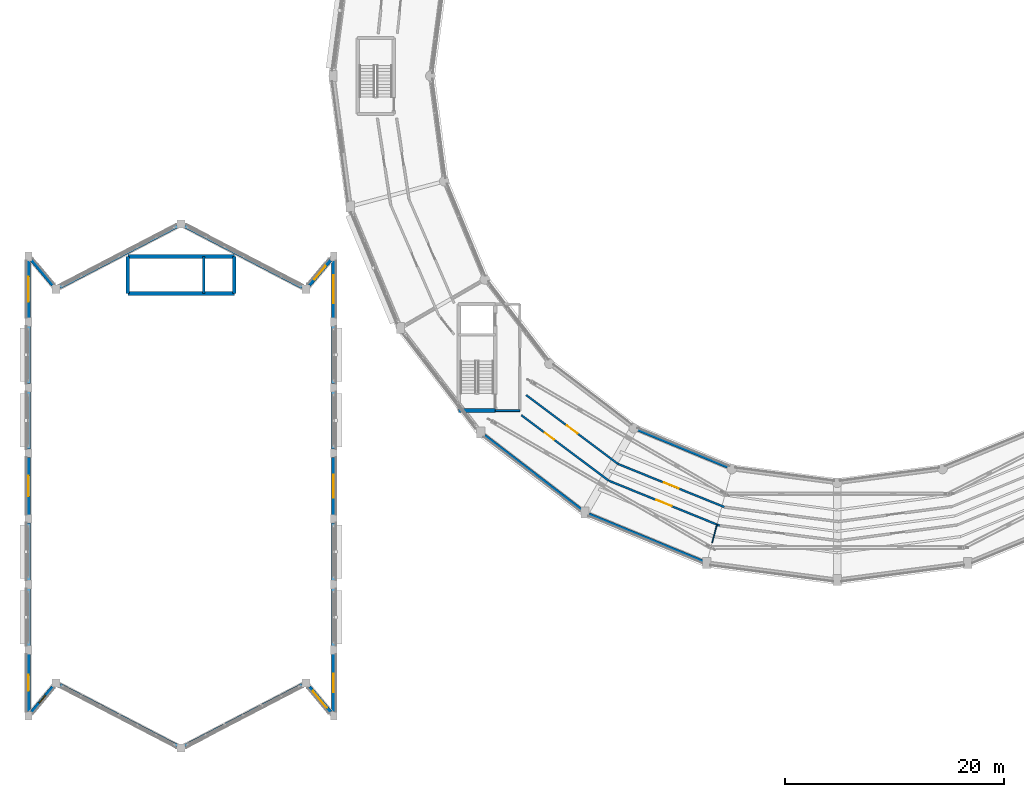
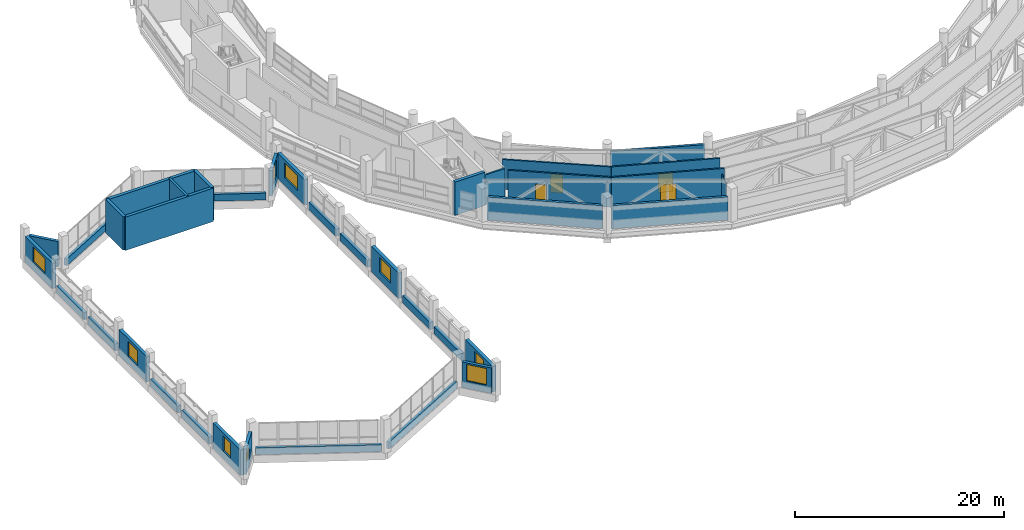
# One storey, part 100 of 121: 37 walls, 9 windows, 4 doors, 13 openings.
"""IFC4 building model written with IfcOpenShell, lengths in metres."""

from ifc_helpers import new_model, si_unit, direction, frame, frame_2d, origin, place, context, subcontext, project, spatial, rectangle, extrude, material, layer, layer_set, type_object, element, fill, save


model = new_model("IFC4")

# Units and contexts
model_context = context("Model", 3, precision=1e-05, world=origin(), true_north=direction((0.0, 1.0)))
body_context = subcontext(model_context, "Body", "Model", "MODEL_VIEW")
ifc_project = project(units=[si_unit("LENGTHUNIT", "METRE"), si_unit("AREAUNIT", "SQUARE_METRE"), si_unit("VOLUMEUNIT", "CUBIC_METRE"), si_unit("PLANEANGLEUNIT", "RADIAN"), si_unit("MASSUNIT", "GRAM", prefix="KILO")], contexts=[model_context])

# Site, building, storey
site_placement = place(None, origin())
site = spatial("IfcSite", under=ifc_project, at=site_placement, CompositionType="ELEMENT")
building_placement = place(site_placement, origin())
building = spatial("IfcBuilding", under=site, at=building_placement, Name="Vespera Passage Community Centre", CompositionType="ELEMENT")
storey_placement = place(building_placement, frame((0.0, 0.0, 8.699951171875)))
storey = spatial("IfcBuildingStorey", under=building, at=storey_placement, Name="L02", CompositionType="ELEMENT", Elevation=8.699951171875)

# Walls
ifc_material_1 = material(Name="Concrete f'c 45 MPa", Category="concrete")
ifc_layer_1 = layer(ifc_material_1, 0.340087890625)
ifc_layer_set_1 = layer_set([ifc_layer_1], Name="Concrete f'c 45 MPa")
wall_type_1 = type_object("IfcWallType", Name="WT-CORE-340I", PredefinedType="SHEAR", material=ifc_layer_set_1)
wall_1_placement = place(storey_placement, frame((46.73095703125, 34.89990234375, 0.0), z_axis=(0.0, 0.0, 1.0), x_axis=(-1.0, 0.0, 0.0)))
element("IfcWall", 1, at=wall_1_placement, inside=storey, type_object=wall_type_1, Name="Core C3 L02 Shear Wall LEFT", PredefinedType="SHEAR", context=body_context, shape_type="SweptSolid", body=[
    extrude(rectangle(XDim=3.33984375, YDim=0.340087890625, at=frame_2d((1.669921875, 0.0))), origin(), (0.0, 0.0, 1.0), 3.900146484375),
])
wall_2_placement = place(storey_placement, frame((22.864990234375, 45.610107421875, 0.0), z_axis=(0.0, 0.0, 1.0), x_axis=(-1.0, 0.0, 0.0)))
element("IfcWall", 2, at=wall_2_placement, inside=storey, type_object=wall_type_1, Name="Core C5 L02 Shear Wall FRONT", PredefinedType="SHEAR", context=body_context, shape_type="SweptSolid", body=[
    extrude(rectangle(XDim=9.72998046875, YDim=0.340087890625, at=frame_2d((4.864990234375, 0.0))), origin(), (0.0, 0.0, 1.0), 3.900146484375),
])
wall_3_placement = place(storey_placement, frame((13.135009765625, 45.610107421875, 0.0), z_axis=(0.0, 0.0, 1.0), x_axis=(0.0, 1.0, 0.0)))
element("IfcWall", 3, at=wall_3_placement, inside=storey, type_object=wall_type_1, Name="Core C5 L02 Shear Wall LEFT", PredefinedType="SHEAR", context=body_context, shape_type="SweptSolid", body=[
    extrude(rectangle(XDim=3.3798828125, YDim=0.340087890625, at=frame_2d((1.68994140625, 0.0))), origin(), (0.0, 0.0, 1.0), 3.900146484375),
])
wall_4_placement = place(storey_placement, frame((13.135009765625, 48.989990234375, 0.0), z_axis=(0.0, 0.0, 1.0), x_axis=(1.0, 0.0, 0.0)))
element("IfcWall", 4, at=wall_4_placement, inside=storey, type_object=wall_type_1, Name="Core C5 L02 Shear Wall BACK", PredefinedType="SHEAR", context=body_context, shape_type="SweptSolid", body=[
    extrude(rectangle(XDim=9.72998046875, YDim=0.340087890625, at=frame_2d((4.864990234375, 0.0))), origin(), (0.0, 0.0, 1.0), 3.900146484375),
])
wall_5_placement = place(storey_placement, frame((22.864990234375, 48.989990234375, 0.0), z_axis=(0.0, 0.0, 1.0), x_axis=(0.0, -1.0, 0.0)))
element("IfcWall", 5, at=wall_5_placement, inside=storey, type_object=wall_type_1, Name="Core C5 L02 Shear Wall RIGHT", PredefinedType="SHEAR", context=body_context, shape_type="SweptSolid", body=[
    extrude(rectangle(XDim=3.3798828125, YDim=0.340087890625, at=frame_2d((1.68994140625, 0.0))), origin(), (0.0, 0.0, 1.0), 3.900146484375),
])
ifc_material_2 = material(Name="Gypsum board acoustic stud partition")
ifc_layer_2 = layer(ifc_material_2, 0.179931640625)
ifc_layer_set_2 = layer_set([ifc_layer_2], Name="Gypsum board acoustic stud partition")
wall_type_2 = type_object("IfcWallType", Name="WT-CORR-180I", PredefinedType="PARTITIONING", material=ifc_layer_set_2)
wall_6_placement = place(storey_placement, frame((46.73095703125, 34.89990234375, 0.0), z_axis=(0.0, 0.0, 1.0), x_axis=(1.0, 0.0, 0.0)))
element("IfcWall", 6, at=wall_6_placement, inside=storey, type_object=wall_type_2, Name="Core C3 L02 Lift Lobby Side Wall L", PredefinedType="PARTITIONING", context=body_context, shape_type="SweptSolid", body=[
    extrude(rectangle(XDim=2.25, YDim=0.179931640625, at=frame_2d((1.125, 0.0))), origin(), (0.0, 0.0, 1.0), 3.4951171875),
])

# Wall, opening, door
wall_7_placement = place(storey_placement, frame((49.11669921875, 34.47998046875, 0.0), z_axis=(0.0, 0.0, 1.0), x_axis=(0.800041118756, -0.599945171077, 0.0)))
wall_7 = element("IfcWall", 7, at=wall_7_placement, inside=storey, type_object=wall_type_2, Name="L02 Interior Partition V4-L02-CO16.1", PredefinedType="PARTITIONING", context=body_context, shape_type="SweptSolid", body=[
    extrude(rectangle(XDim=9.974365234375, YDim=0.179931640625, at=frame_2d((4.9873046875, 0.0))), origin(), (0.0, 0.0, 1.0), 3.4951171875),
])
opening_1_placement = place(wall_7_placement, frame((2.677490234375, 0.0, 0.0)))
opening_1 = element("IfcOpeningElement", 8, at=opening_1_placement, cuts=wall_7, Name="Opening DT-CORR-105", PredefinedType="OPENING", context=body_context, shape_type="SweptSolid", body=[
    extrude(rectangle(XDim=1.050048828125, YDim=2.10009765625, at=frame_2d((0.52490234375, 1.050048828125))), frame((0.0, 0.099853515625, 0.0), z_axis=(0.0, -1.0, 0.0), x_axis=(1.0, 0.0, 0.0)), (0.0, 0.0, 1.0), 0.199951171875),
])
ifc_material_3 = material(Name="Painted hollow-metal acoustic door", Category="steel")
door_type_1 = type_object("IfcDoorType", Name="DT-CORR-105", OperationType="NOTDEFINED", PredefinedType="DOOR", material=ifc_material_3)
door_1_placement = place(opening_1_placement, origin())
door_1 = element("IfcDoor", 9, at=door_1_placement, inside=storey, type_object=door_type_1, Name="L02 Interior Door D-208", OperationType="SINGLE_SWING_RIGHT", OverallHeight=2.10009765625, OverallWidth=1.050048828125, PredefinedType="DOOR", context=body_context, shape_type="SweptSolid", body=[
    extrude(rectangle(XDim=1.050048828125, YDim=2.10009765625, at=frame_2d((0.52490234375, 1.050048828125))), frame((0.0, 0.02490234375, 0.0), z_axis=(0.0, -1.0, 0.0), x_axis=(1.0, 0.0, 0.0)), (0.0, 0.0, 1.0), 0.050048828125),
])
fill(opening_1, door_1)

wall_8_placement = place(storey_placement, frame((49.55517578125, 36.3203125, 0.0), z_axis=(0.0, 0.0, 1.0), x_axis=(0.800044630681, -0.599940487814, 0.0)))
wall_8 = element("IfcWall", 10, at=wall_8_placement, inside=storey, type_object=wall_type_2, Name="L02 Interior Partition V4-L02-CI16.1", PredefinedType="PARTITIONING", context=body_context, shape_type="SweptSolid", body=[
    extrude(rectangle(XDim=10.50244140625, YDim=0.179931640625, at=frame_2d((5.251220703125, 0.0))), origin(), (0.0, 0.0, 1.0), 3.4951171875),
])
opening_2_placement = place(wall_8_placement, frame((4.651123046875, 0.0, 0.0)))
opening_2 = element("IfcOpeningElement", 11, at=opening_2_placement, cuts=wall_8, Name="Opening DT-CORR-120", PredefinedType="OPENING", context=body_context, shape_type="SweptSolid", body=[
    extrude(rectangle(XDim=1.199951171875, YDim=2.14990234375, at=frame_2d((0.60009765625, 1.074951171875))), frame((0.0, 0.099853515625, 0.0), z_axis=(0.0, -1.0, 0.0), x_axis=(1.0, 0.0, 0.0)), (0.0, 0.0, 1.0), 0.199951171875),
])
ifc_material_4 = material(Name="Painted hollow-metal acoustic door", Category="steel")
door_type_2 = type_object("IfcDoorType", Name="DT-CORR-120", OperationType="NOTDEFINED", PredefinedType="DOOR", material=ifc_material_4)
door_2_placement = place(opening_2_placement, origin())
door_2 = element("IfcDoor", 12, at=door_2_placement, inside=storey, type_object=door_type_2, Name="L02 Interior Door D-209", OperationType="SINGLE_SWING_LEFT", OverallHeight=2.14990234375, OverallWidth=1.199951171875, PredefinedType="DOOR", context=body_context, shape_type="SweptSolid", body=[
    extrude(rectangle(XDim=1.199951171875, YDim=2.14990234375, at=frame_2d((0.60009765625, 1.074951171875))), frame((0.0, 0.02490234375, 0.0), z_axis=(0.0, -1.0, 0.0), x_axis=(1.0, 0.0, 0.0)), (0.0, 0.0, 1.0), 0.050048828125),
])
fill(opening_2, door_2)

wall_9_placement = place(storey_placement, frame((57.0966796875, 28.495849609375, 0.0), z_axis=(0.0, 0.0, 1.0), x_axis=(0.926802598573, -0.375548856048, 0.0)))
wall_9 = element("IfcWall", 13, at=wall_9_placement, inside=storey, type_object=wall_type_2, Name="L02 Interior Partition V4-L02-CO17.1", PredefinedType="PARTITIONING", context=body_context, shape_type="SweptSolid", body=[
    extrude(rectangle(XDim=10.953369140625, YDim=0.179931640625, at=frame_2d((5.4765625, 0.0))), origin(), (0.0, 0.0, 1.0), 3.4951171875),
])
opening_3_placement = place(wall_9_placement, frame((4.726806640625, 0.0, 0.0)))
opening_3 = element("IfcOpeningElement", 14, at=opening_3_placement, cuts=wall_9, Name="Opening DT-CORR-150", PredefinedType="OPENING", context=body_context, shape_type="SweptSolid", body=[
    extrude(rectangle(XDim=1.5, YDim=2.14990234375, at=frame_2d((0.75, 1.074951171875))), frame((0.0, 0.099853515625, 0.0), z_axis=(0.0, -1.0, 0.0), x_axis=(1.0, 0.0, 0.0)), (0.0, 0.0, 1.0), 0.199951171875),
])
ifc_material_5 = material(Name="Painted hollow-metal acoustic door", Category="steel")
door_type_3 = type_object("IfcDoorType", Name="DT-CORR-150", OperationType="NOTDEFINED", PredefinedType="DOOR", material=ifc_material_5)
door_3_placement = place(opening_3_placement, origin())
door_3 = element("IfcDoor", 15, at=door_3_placement, inside=storey, type_object=door_type_3, Name="L02 Interior Door D-210", OperationType="SINGLE_SWING_RIGHT", OverallHeight=2.14990234375, OverallWidth=1.5, PredefinedType="DOOR", context=body_context, shape_type="SweptSolid", body=[
    extrude(rectangle(XDim=1.5, YDim=2.14990234375, at=frame_2d((0.75, 1.074951171875))), frame((0.0, 0.02490234375, 0.0), z_axis=(0.0, -1.0, 0.0), x_axis=(1.0, 0.0, 0.0)), (0.0, 0.0, 1.0), 0.050048828125),
])
fill(opening_3, door_3)

wall_10_placement = place(storey_placement, frame((57.95751953125, 30.01953125, 0.0), z_axis=(0.0, 0.0, 1.0), x_axis=(0.926804880272, -0.375543225082, 0.0)))
wall_10 = element("IfcWall", 16, at=wall_10_placement, inside=storey, type_object=wall_type_2, Name="L02 Interior Partition V4-L02-CI17.1", PredefinedType="PARTITIONING", context=body_context, shape_type="SweptSolid", body=[
    extrude(rectangle(XDim=10.50244140625, YDim=0.179931640625, at=frame_2d((5.251220703125, 0.0))), origin(), (0.0, 0.0, 1.0), 3.4951171875),
])
opening_4_placement = place(wall_10_placement, frame((4.526123046875, 0.0, 0.0)))
opening_4 = element("IfcOpeningElement", 17, at=opening_4_placement, cuts=wall_10, Name="Opening DT-PLANT-145", PredefinedType="OPENING", context=body_context, shape_type="SweptSolid", body=[
    extrude(rectangle(XDim=1.449951171875, YDim=2.199951171875, at=frame_2d((0.72509765625, 1.10009765625))), frame((0.0, 0.099853515625, 0.0), z_axis=(0.0, -1.0, 0.0), x_axis=(1.0, 0.0, 0.0)), (0.0, 0.0, 1.0), 0.199951171875),
])
ifc_material_6 = material(Name="Painted hollow-metal acoustic door", Category="steel")
door_type_4 = type_object("IfcDoorType", Name="DT-PLANT-145", OperationType="NOTDEFINED", PredefinedType="DOOR", material=ifc_material_6)
door_4_placement = place(opening_4_placement, origin())
door_4 = element("IfcDoor", 18, at=door_4_placement, inside=storey, type_object=door_type_4, Name="L02 Interior Door D-211", OperationType="SINGLE_SWING_LEFT", OverallHeight=2.199951171875, OverallWidth=1.449951171875, PredefinedType="DOOR", context=body_context, shape_type="SweptSolid", body=[
    extrude(rectangle(XDim=1.449951171875, YDim=2.199951171875, at=frame_2d((0.72509765625, 1.10009765625))), frame((0.0, 0.02490234375, 0.0), z_axis=(0.0, -1.0, 0.0), x_axis=(1.0, 0.0, 0.0)), (0.0, 0.0, 1.0), 0.050048828125),
])
fill(opening_4, door_4)

# Walls
ifc_material_7 = material(Name="Concrete f'c 45 MPa", Category="concrete")
ifc_layer_3 = layer(ifc_material_7, 0.239990234375)
ifc_layer_set_3 = layer_set([ifc_layer_3], Name="Concrete f'c 45 MPa")
wall_type_3 = type_object("IfcWallType", Name="WT-DIV-240I", PredefinedType="SHEAR", material=ifc_layer_set_3)
wall_11_placement = place(storey_placement, frame((20.074951171875, 45.610107421875, 0.0), z_axis=(0.0, 0.0, 1.0), x_axis=(0.0, 1.0, 0.0)))
element("IfcWall", 19, at=wall_11_placement, inside=storey, type_object=wall_type_3, Name="Core C5 L02 Hoistway Divider Wall", PredefinedType="SHEAR", context=body_context, shape_type="SweptSolid", body=[
    extrude(rectangle(XDim=3.3798828125, YDim=0.239990234375, at=frame_2d((1.68994140625, 0.0))), origin(), (0.0, 0.0, 1.0), 3.900146484375),
])
ifc_material_8 = material(Name="Precast concrete f'c 40 MPa", Category="concrete")
ifc_layer_4 = layer(ifc_material_8, 0.25)
ifc_layer_set_4 = layer_set([ifc_layer_4], Name="Precast concrete f'c 40 MPa")
wall_type_4 = type_object("IfcWallType", Name="WT-EXT-250E", PredefinedType="STANDARD", material=ifc_layer_set_4)
wall_12_placement = place(storey_placement, frame((59.677001953125, 33.169189453125, 0.0), z_axis=(0.0, 0.0, 1.0), x_axis=(0.923880324771, -0.382681519675, 0.0)))
element("IfcWall", 20, at=wall_12_placement, inside=storey, type_object=wall_type_4, Name="V4 L02 Inner Court Precast Wall 16", PredefinedType="STANDARD", context=body_context, shape_type="SweptSolid", body=[
    extrude(rectangle(XDim=9.111572265625, YDim=0.25, at=frame_2d((4.5556640625, 0.0))), origin(), (0.0, 0.0, 1.0), 2.78955078125),
])
ifc_material_9 = material(Name="Precast concrete f'c 40 MPa", Category="concrete")
ifc_layer_5 = layer(ifc_material_9, 0.280029296875)
ifc_layer_set_5 = layer_set([ifc_layer_5], Name="Precast concrete f'c 40 MPa")
wall_type_5 = type_object("IfcWallType", Name="WT-EXT-280E", PredefinedType="STANDARD", material=ifc_layer_set_5)
wall_13_placement = place(storey_placement, frame((54.5947265625, 25.8486328125, 0.0), z_axis=(0.0, 0.0, 1.0), x_axis=(-0.793342066679, 0.608776120785, 0.0)))
element("IfcWall", 21, at=wall_13_placement, inside=storey, type_object=wall_type_5, Name="V4 L02 Outer Precast Wall 15", PredefinedType="STANDARD", context=body_context, shape_type="SweptSolid", body=[
    extrude(rectangle(XDim=11.13916015625, YDim=0.280029296875, at=frame_2d((5.569580078125, 0.0))), origin(), (0.0, 0.0, 1.0), 2.70556640625),
])
wall_14_placement = place(storey_placement, frame((65.716552734375, 21.11669921875, 0.0), z_axis=(0.0, 0.0, 1.0), x_axis=(-0.923883530636, 0.382673779896, 0.0)))
element("IfcWall", 22, at=wall_14_placement, inside=storey, type_object=wall_type_5, Name="V4 L02 Outer Precast Wall 16", PredefinedType="STANDARD", context=body_context, shape_type="SweptSolid", body=[
    extrude(rectangle(XDim=11.2724609375, YDim=0.280029296875, at=frame_2d((5.63623046875, 0.0))), origin(), (0.0, 0.0, 1.0), 2.70556640625),
])
ifc_material_10 = material(Name="Precast concrete f'c 40 MPa", Category="concrete")
ifc_layer_6 = layer(ifc_material_10, 0.320068359375)
ifc_layer_set_6 = layer_set([ifc_layer_6], Name="Precast concrete f'c 40 MPa")
wall_type_6 = type_object("IfcWallType", Name="WT-EXT-320E", PredefinedType="STANDARD", material=ifc_layer_set_6)
wall_15_placement = place(storey_placement, frame((4.333984375, 48.66259765625, 0.0), z_axis=(0.0, 0.0, 1.0), x_axis=(0.643796278673, -0.765196936459, 0.0)))
element("IfcWall", 23, at=wall_15_placement, inside=storey, type_object=wall_type_6, Name="V1 L02 N Apse Wall 1", PredefinedType="STANDARD", context=body_context, shape_type="SweptSolid", body=[
    extrude(rectangle(XDim=3.012451171875, YDim=0.320068359375, at=frame_2d((1.50634765625, 0.0))), origin(), (0.0, 0.0, 1.0), 2.985107421875),
])
for number, where, z_axis, x_axis, name in (
    (24, (6.925537109375, 46.18505859375, 0.0), (0.0, 0.0, 1.0), (0.887012674584, 0.46174507591, 0.0), "V1 L02 N Apse Spandrel 2"),
    (25, (18.352783203125, 51.766357421875, 0.0), (0.0, 0.0, 1.0), (0.887012674584, -0.46174507591, 0.0), "V1 L02 N Apse Spandrel 3"),
):
    element("IfcWall", number, at=place(storey_placement, frame(where, z_axis=z_axis, x_axis=x_axis)), inside=storey, type_object=wall_type_6, Name=name, PredefinedType="STANDARD", context=body_context, shape_type="SweptSolid", body=[
        extrude(rectangle(XDim=12.08740234375, YDim=0.320068359375, at=frame_2d((6.043701171875, 0.0))), origin(), (0.0, 0.0, 1.0), 0.800048828125),
    ])

# Wall, opening, window
wall_16_placement = place(storey_placement, frame((29.7265625, 46.357421875, 0.0), z_axis=(0.0, 0.0, 1.0), x_axis=(0.643796278673, 0.765196936459, 0.0)))
wall_16 = element("IfcWall", 26, at=wall_16_placement, inside=storey, type_object=wall_type_6, Name="V1 L02 N Apse Wall 4", PredefinedType="STANDARD", context=body_context, shape_type="SweptSolid", body=[
    extrude(rectangle(XDim=3.012451171875, YDim=0.320068359375, at=frame_2d((1.50634765625, 0.0))), origin(), (0.0, 0.0, 1.0), 2.985107421875),
])
opening_5_placement = place(wall_16_placement, frame((0.706298828125, 0.0, 0.85009765625)))
opening_5 = element("IfcOpeningElement", 27, at=opening_5_placement, cuts=wall_16, Name="Opening WN-26E", PredefinedType="OPENING", context=body_context, shape_type="SweptSolid", body=[
    extrude(rectangle(XDim=1.60009765625, YDim=1.949951171875, at=frame_2d((0.800048828125, 0.97509765625))), frame((0.0, 0.170166015625, 0.0), z_axis=(0.0, -1.0, 0.0), x_axis=(1.0, 0.0, 0.0)), (0.0, 0.0, 1.0), 0.340087890625),
])
ifc_material_11 = material(Name="Low-E insulated vision glass", Category="glass")
window_type_1 = type_object("IfcWindowType", Name="WN-26E", PartitioningType="SINGLE_PANEL", PredefinedType="WINDOW", material=ifc_material_11)
window_1_placement = place(opening_5_placement, origin())
window_1 = element("IfcWindow", 28, at=window_1_placement, inside=storey, type_object=window_type_1, Name="Window WN-V1-L02-APN4", OverallHeight=1.949951171875, OverallWidth=1.60009765625, PartitioningType="SINGLE_PANEL", PredefinedType="WINDOW", context=body_context, shape_type="SweptSolid", body=[
    extrude(rectangle(XDim=1.60009765625, YDim=1.949951171875, at=frame_2d((0.800048828125, 0.97509765625))), frame((0.0, 0.030029296875, 0.0), z_axis=(0.0, -1.0, 0.0), x_axis=(1.0, 0.0, 0.0)), (0.0, 0.0, 1.0), 0.06005859375),
])
fill(opening_5, window_1)

wall_17_placement = place(storey_placement, frame((31.666015625, 7.33740234375, 0.0), z_axis=(0.0, 0.0, 1.0), x_axis=(-0.643796278673, 0.765196936459, 0.0)))
wall_17 = element("IfcWall", 29, at=wall_17_placement, inside=storey, type_object=wall_type_6, Name="V1 L02 S Apse Wall 1", PredefinedType="STANDARD", context=body_context, shape_type="SweptSolid", body=[
    extrude(rectangle(XDim=3.012451171875, YDim=0.320068359375, at=frame_2d((1.50634765625, 0.0))), origin(), (0.0, 0.0, 1.0), 2.985107421875),
])
opening_6_placement = place(wall_17_placement, frame((0.50634765625, 0.0, 0.85009765625)))
opening_6 = element("IfcOpeningElement", 30, at=opening_6_placement, cuts=wall_17, Name="Opening WN-27E", PredefinedType="OPENING", context=body_context, shape_type="SweptSolid", body=[
    extrude(rectangle(XDim=2.0, YDim=1.949951171875, at=frame_2d((1.0, 0.97509765625))), frame((0.0, 0.170166015625, 0.0), z_axis=(0.0, -1.0, 0.0), x_axis=(1.0, 0.0, 0.0)), (0.0, 0.0, 1.0), 0.340087890625),
])
ifc_material_12 = material(Name="Low-E insulated vision glass", Category="glass")
window_type_2 = type_object("IfcWindowType", Name="WN-27E", PartitioningType="SINGLE_PANEL", PredefinedType="WINDOW", material=ifc_material_12)
window_2_placement = place(opening_6_placement, origin())
window_2 = element("IfcWindow", 31, at=window_2_placement, inside=storey, type_object=window_type_2, Name="Window WN-V1-L02-APS1", OverallHeight=1.949951171875, OverallWidth=2.0, PartitioningType="SINGLE_PANEL", PredefinedType="WINDOW", context=body_context, shape_type="SweptSolid", body=[
    extrude(rectangle(XDim=2.0, YDim=1.949951171875, at=frame_2d((1.0, 0.97509765625))), frame((0.0, 0.030029296875, 0.0), z_axis=(0.0, -1.0, 0.0), x_axis=(1.0, 0.0, 0.0)), (0.0, 0.0, 1.0), 0.06005859375),
])
fill(opening_6, window_2)

# Walls
for number, where, z_axis, x_axis, name in (
    (32, (29.074462890625, 9.81494140625, 0.0), (0.0, 0.0, 1.0), (-0.887012674584, -0.46174507591, 0.0), "V1 L02 S Apse Spandrel 2"),
    (33, (17.647216796875, 4.233642578125, 0.0), (0.0, 0.0, 1.0), (-0.887012674584, 0.46174507591, 0.0), "V1 L02 S Apse Spandrel 3"),
):
    element("IfcWall", number, at=place(storey_placement, frame(where, z_axis=z_axis, x_axis=x_axis)), inside=storey, type_object=wall_type_6, Name=name, PredefinedType="STANDARD", context=body_context, shape_type="SweptSolid", body=[
        extrude(rectangle(XDim=12.08740234375, YDim=0.320068359375, at=frame_2d((6.043701171875, 0.0))), origin(), (0.0, 0.0, 1.0), 0.800048828125),
    ])

# Wall, opening, window
wall_18_placement = place(storey_placement, frame((6.2734375, 9.642578125, 0.0), z_axis=(0.0, 0.0, 1.0), x_axis=(-0.643796278673, -0.765196936459, 0.0)))
wall_18 = element("IfcWall", 34, at=wall_18_placement, inside=storey, type_object=wall_type_6, Name="V1 L02 S Apse Wall 4", PredefinedType="STANDARD", context=body_context, shape_type="SweptSolid", body=[
    extrude(rectangle(XDim=3.012451171875, YDim=0.320068359375, at=frame_2d((1.50634765625, 0.0))), origin(), (0.0, 0.0, 1.0), 2.985107421875),
])
opening_7_placement = place(wall_18_placement, frame((1.056396484375, 0.0, 0.85009765625)))
opening_7 = element("IfcOpeningElement", 35, at=opening_7_placement, cuts=wall_18, Name="Opening WN-01E", PredefinedType="OPENING", context=body_context, shape_type="SweptSolid", body=[
    extrude(rectangle(XDim=0.89990234375, YDim=0.89990234375, at=frame_2d((0.449951171875, 0.449951171875))), frame((0.0, 0.170166015625, 0.0), z_axis=(0.0, -1.0, 0.0), x_axis=(1.0, 0.0, 0.0)), (0.0, 0.0, 1.0), 0.340087890625),
])
ifc_material_13 = material(Name="Low-E insulated vision glass", Category="glass")
window_type_3 = type_object("IfcWindowType", Name="WN-01E", PartitioningType="SINGLE_PANEL", PredefinedType="WINDOW", material=ifc_material_13)
window_3_placement = place(opening_7_placement, origin())
window_3 = element("IfcWindow", 36, at=window_3_placement, inside=storey, type_object=window_type_3, Name="Window WN-V1-L02-APS4", OverallHeight=0.89990234375, OverallWidth=0.89990234375, PartitioningType="SINGLE_PANEL", PredefinedType="WINDOW", context=body_context, shape_type="SweptSolid", body=[
    extrude(rectangle(XDim=0.89990234375, YDim=0.89990234375, at=frame_2d((0.449951171875, 0.449951171875))), frame((0.0, 0.030029296875, 0.0), z_axis=(0.0, -1.0, 0.0), x_axis=(1.0, 0.0, 0.0)), (0.0, 0.0, 1.0), 0.06005859375),
])
fill(opening_7, window_3)

ifc_material_14 = material(Name="Precast concrete f'c 40 MPa", Category="concrete")
ifc_layer_7 = layer(ifc_material_14, 0.360107421875)
ifc_layer_set_7 = layer_set([ifc_layer_7], Name="Precast concrete f'c 40 MPa")
wall_type_7 = type_object("IfcWallType", Name="WT-EXT-360E", PredefinedType="STANDARD", material=ifc_layer_set_7)
wall_19_placement = place(storey_placement, frame((4.050048828125, 7.375, 0.0), z_axis=(0.0, 0.0, 1.0), x_axis=(0.0, 1.0, 0.0)))
wall_19 = element("IfcWall", 37, at=wall_19_placement, inside=storey, type_object=wall_type_7, Name="V1 L02 Facade Wall W1", PredefinedType="STANDARD", context=body_context, shape_type="SweptSolid", body=[
    extrude(rectangle(XDim=5.25, YDim=0.360107421875, at=frame_2d((2.625, 0.0))), origin(), (0.0, 0.0, 1.0), 2.985107421875),
])
opening_8_placement = place(wall_19_placement, frame((1.89990234375, 0.0, 0.89990234375)))
opening_8 = element("IfcOpeningElement", 38, at=opening_8_placement, cuts=wall_19, Name="Opening WN-19E", PredefinedType="OPENING", context=body_context, shape_type="SweptSolid", body=[
    extrude(rectangle(XDim=1.449951171875, YDim=1.75, at=frame_2d((0.72509765625, 0.875))), frame((0.0, 0.190185546875, 0.0), z_axis=(0.0, -1.0, 0.0), x_axis=(1.0, 0.0, 0.0)), (0.0, 0.0, 1.0), 0.380126953125),
])
ifc_material_15 = material(Name="Low-E insulated vision glass", Category="glass")
window_type_4 = type_object("IfcWindowType", Name="WN-19E", PartitioningType="SINGLE_PANEL", PredefinedType="WINDOW", material=ifc_material_15)
window_4_placement = place(opening_8_placement, origin())
window_4 = element("IfcWindow", 39, at=window_4_placement, inside=storey, type_object=window_type_4, Name="Window WN-V1-L02-W1", OverallHeight=1.75, OverallWidth=1.449951171875, PartitioningType="SINGLE_PANEL", PredefinedType="WINDOW", context=body_context, shape_type="SweptSolid", body=[
    extrude(rectangle(XDim=1.449951171875, YDim=1.75, at=frame_2d((0.72509765625, 0.875))), frame((0.0, 0.030029296875, 0.0), z_axis=(0.0, -1.0, 0.0), x_axis=(1.0, 0.0, 0.0)), (0.0, 0.0, 1.0), 0.06005859375),
])
fill(opening_8, window_4)

wall_20_placement = place(storey_placement, frame((31.949951171875, 12.625, 0.0), z_axis=(0.0, 0.0, 1.0), x_axis=(0.0, -1.0, 0.0)))
wall_20 = element("IfcWall", 40, at=wall_20_placement, inside=storey, type_object=wall_type_7, Name="V1 L02 Facade Wall E1", PredefinedType="STANDARD", context=body_context, shape_type="SweptSolid", body=[
    extrude(rectangle(XDim=5.25, YDim=0.360107421875, at=frame_2d((2.625, 0.0))), origin(), (0.0, 0.0, 1.0), 2.985107421875),
])
opening_9_placement = place(wall_20_placement, frame((1.77490234375, 0.0, 0.89990234375)))
opening_9 = element("IfcOpeningElement", 41, at=opening_9_placement, cuts=wall_20, Name="Opening WN-20E", PredefinedType="OPENING", context=body_context, shape_type="SweptSolid", body=[
    extrude(rectangle(XDim=1.699951171875, YDim=1.75, at=frame_2d((0.85009765625, 0.875))), frame((0.0, 0.190185546875, 0.0), z_axis=(0.0, -1.0, 0.0), x_axis=(1.0, 0.0, 0.0)), (0.0, 0.0, 1.0), 0.380126953125),
])
ifc_material_16 = material(Name="Low-E insulated vision glass", Category="glass")
window_type_5 = type_object("IfcWindowType", Name="WN-20E", PartitioningType="SINGLE_PANEL", PredefinedType="WINDOW", material=ifc_material_16)
window_5_placement = place(opening_9_placement, origin())
window_5 = element("IfcWindow", 42, at=window_5_placement, inside=storey, type_object=window_type_5, Name="Window WN-V1-L02-E1", OverallHeight=1.75, OverallWidth=1.699951171875, PartitioningType="SINGLE_PANEL", PredefinedType="WINDOW", context=body_context, shape_type="SweptSolid", body=[
    extrude(rectangle(XDim=1.699951171875, YDim=1.75, at=frame_2d((0.85009765625, 0.875))), frame((0.0, 0.030029296875, 0.0), z_axis=(0.0, -1.0, 0.0), x_axis=(1.0, 0.0, 0.0)), (0.0, 0.0, 1.0), 0.06005859375),
])
fill(opening_9, window_5)

# Walls
for number, where, z_axis, x_axis, name in (
    (43, (4.050048828125, 13.375, 0.0), (0.0, 0.0, 1.0), (0.0, 1.0, 0.0), "V1 L02 Spandrel W2"),
    (44, (31.949951171875, 18.625, 0.0), (0.0, 0.0, 1.0), (0.0, -1.0, 0.0), "V1 L02 Spandrel E2"),
    (45, (4.050048828125, 19.375, 0.0), (0.0, 0.0, 1.0), (0.0, 1.0, 0.0), "V1 L02 Spandrel W3"),
    (46, (31.949951171875, 24.625, 0.0), (0.0, 0.0, 1.0), (0.0, -1.0, 0.0), "V1 L02 Spandrel E3"),
):
    element("IfcWall", number, at=place(storey_placement, frame(where, z_axis=z_axis, x_axis=x_axis)), inside=storey, type_object=wall_type_7, Name=name, PredefinedType="STANDARD", context=body_context, shape_type="SweptSolid", body=[
        extrude(rectangle(XDim=5.25, YDim=0.360107421875, at=frame_2d((2.625, 0.0))), origin(), (0.0, 0.0, 1.0), 0.85009765625),
    ])

# Wall, opening, window
wall_21_placement = place(storey_placement, frame((4.050048828125, 25.375, 0.0), z_axis=(0.0, 0.0, 1.0), x_axis=(0.0, 1.0, 0.0)))
wall_21 = element("IfcWall", 47, at=wall_21_placement, inside=storey, type_object=wall_type_7, Name="V1 L02 Facade Wall W4", PredefinedType="STANDARD", context=body_context, shape_type="SweptSolid", body=[
    extrude(rectangle(XDim=5.25, YDim=0.360107421875, at=frame_2d((2.625, 0.0))), origin(), (0.0, 0.0, 1.0), 2.985107421875),
])
opening_10_placement = place(wall_21_placement, frame((1.675048828125, 0.0, 0.89990234375)))
opening_10 = element("IfcOpeningElement", 48, at=opening_10_placement, cuts=wall_21, Name="Opening WN-21E", PredefinedType="OPENING", context=body_context, shape_type="SweptSolid", body=[
    extrude(rectangle(XDim=1.89990234375, YDim=1.75, at=frame_2d((0.949951171875, 0.875))), frame((0.0, 0.190185546875, 0.0), z_axis=(0.0, -1.0, 0.0), x_axis=(1.0, 0.0, 0.0)), (0.0, 0.0, 1.0), 0.380126953125),
])
ifc_material_17 = material(Name="Low-E insulated vision glass", Category="glass")
window_type_6 = type_object("IfcWindowType", Name="WN-21E", PartitioningType="SINGLE_PANEL", PredefinedType="WINDOW", material=ifc_material_17)
window_6_placement = place(opening_10_placement, origin())
window_6 = element("IfcWindow", 49, at=window_6_placement, inside=storey, type_object=window_type_6, Name="Window WN-V1-L02-W4", OverallHeight=1.75, OverallWidth=1.89990234375, PartitioningType="SINGLE_PANEL", PredefinedType="WINDOW", context=body_context, shape_type="SweptSolid", body=[
    extrude(rectangle(XDim=1.89990234375, YDim=1.75, at=frame_2d((0.949951171875, 0.875))), frame((0.0, 0.030029296875, 0.0), z_axis=(0.0, -1.0, 0.0), x_axis=(1.0, 0.0, 0.0)), (0.0, 0.0, 1.0), 0.06005859375),
])
fill(opening_10, window_6)

wall_22_placement = place(storey_placement, frame((31.949951171875, 30.625, 0.0), z_axis=(0.0, 0.0, 1.0), x_axis=(0.0, -1.0, 0.0)))
wall_22 = element("IfcWall", 50, at=wall_22_placement, inside=storey, type_object=wall_type_7, Name="V1 L02 Facade Wall E4", PredefinedType="STANDARD", context=body_context, shape_type="SweptSolid", body=[
    extrude(rectangle(XDim=5.25, YDim=0.360107421875, at=frame_2d((2.625, 0.0))), origin(), (0.0, 0.0, 1.0), 2.985107421875),
])
opening_11_placement = place(wall_22_placement, frame((1.574951171875, 0.0, 0.89990234375)))
opening_11 = element("IfcOpeningElement", 51, at=opening_11_placement, cuts=wall_22, Name="Opening WN-22E", PredefinedType="OPENING", context=body_context, shape_type="SweptSolid", body=[
    extrude(rectangle(XDim=2.10009765625, YDim=1.75, at=frame_2d((1.050048828125, 0.875))), frame((0.0, 0.190185546875, 0.0), z_axis=(0.0, -1.0, 0.0), x_axis=(1.0, 0.0, 0.0)), (0.0, 0.0, 1.0), 0.380126953125),
])
ifc_material_18 = material(Name="Low-E insulated vision glass", Category="glass")
window_type_7 = type_object("IfcWindowType", Name="WN-22E", PartitioningType="SINGLE_PANEL", PredefinedType="WINDOW", material=ifc_material_18)
window_7_placement = place(opening_11_placement, origin())
window_7 = element("IfcWindow", 52, at=window_7_placement, inside=storey, type_object=window_type_7, Name="Window WN-V1-L02-E4", OverallHeight=1.75, OverallWidth=2.10009765625, PartitioningType="SINGLE_PANEL", PredefinedType="WINDOW", context=body_context, shape_type="SweptSolid", body=[
    extrude(rectangle(XDim=2.10009765625, YDim=1.75, at=frame_2d((1.050048828125, 0.875))), frame((0.0, 0.030029296875, 0.0), z_axis=(0.0, -1.0, 0.0), x_axis=(1.0, 0.0, 0.0)), (0.0, 0.0, 1.0), 0.06005859375),
])
fill(opening_11, window_7)

# Walls
for number, where, z_axis, x_axis, name in (
    (53, (4.050048828125, 31.375, 0.0), (0.0, 0.0, 1.0), (0.0, 1.0, 0.0), "V1 L02 Spandrel W5"),
    (54, (31.949951171875, 36.625, 0.0), (0.0, 0.0, 1.0), (0.0, -1.0, 0.0), "V1 L02 Spandrel E5"),
    (55, (4.050048828125, 37.375, 0.0), (0.0, 0.0, 1.0), (0.0, 1.0, 0.0), "V1 L02 Spandrel W6"),
    (56, (31.949951171875, 42.625, 0.0), (0.0, 0.0, 1.0), (0.0, -1.0, 0.0), "V1 L02 Spandrel E6"),
):
    element("IfcWall", number, at=place(storey_placement, frame(where, z_axis=z_axis, x_axis=x_axis)), inside=storey, type_object=wall_type_7, Name=name, PredefinedType="STANDARD", context=body_context, shape_type="SweptSolid", body=[
        extrude(rectangle(XDim=5.25, YDim=0.360107421875, at=frame_2d((2.625, 0.0))), origin(), (0.0, 0.0, 1.0), 0.85009765625),
    ])

# Wall, opening, window
wall_23_placement = place(storey_placement, frame((4.050048828125, 43.375, 0.0), z_axis=(0.0, 0.0, 1.0), x_axis=(0.0, 1.0, 0.0)))
wall_23 = element("IfcWall", 57, at=wall_23_placement, inside=storey, type_object=wall_type_7, Name="V1 L02 Facade Wall W7", PredefinedType="STANDARD", context=body_context, shape_type="SweptSolid", body=[
    extrude(rectangle(XDim=5.25, YDim=0.360107421875, at=frame_2d((2.625, 0.0))), origin(), (0.0, 0.0, 1.0), 2.985107421875),
])
opening_12_placement = place(wall_23_placement, frame((1.47509765625, 0.0, 0.89990234375)))
opening_12 = element("IfcOpeningElement", 58, at=opening_12_placement, cuts=wall_23, Name="Opening WN-23E", PredefinedType="OPENING", context=body_context, shape_type="SweptSolid", body=[
    extrude(rectangle(XDim=2.300048828125, YDim=1.75, at=frame_2d((1.14990234375, 0.875))), frame((0.0, 0.190185546875, 0.0), z_axis=(0.0, -1.0, 0.0), x_axis=(1.0, 0.0, 0.0)), (0.0, 0.0, 1.0), 0.380126953125),
])
ifc_material_19 = material(Name="Low-E insulated vision glass", Category="glass")
window_type_8 = type_object("IfcWindowType", Name="WN-23E", PartitioningType="SINGLE_PANEL", PredefinedType="WINDOW", material=ifc_material_19)
window_8_placement = place(opening_12_placement, origin())
window_8 = element("IfcWindow", 59, at=window_8_placement, inside=storey, type_object=window_type_8, Name="Window WN-V1-L02-W7", OverallHeight=1.75, OverallWidth=2.300048828125, PartitioningType="SINGLE_PANEL", PredefinedType="WINDOW", context=body_context, shape_type="SweptSolid", body=[
    extrude(rectangle(XDim=2.300048828125, YDim=1.75, at=frame_2d((1.14990234375, 0.875))), frame((0.0, 0.030029296875, 0.0), z_axis=(0.0, -1.0, 0.0), x_axis=(1.0, 0.0, 0.0)), (0.0, 0.0, 1.0), 0.06005859375),
])
fill(opening_12, window_8)

wall_24_placement = place(storey_placement, frame((31.949951171875, 48.625, 0.0), z_axis=(0.0, 0.0, 1.0), x_axis=(0.0, -1.0, 0.0)))
wall_24 = element("IfcWall", 60, at=wall_24_placement, inside=storey, type_object=wall_type_7, Name="V1 L02 Facade Wall E7", PredefinedType="STANDARD", context=body_context, shape_type="SweptSolid", body=[
    extrude(rectangle(XDim=5.25, YDim=0.360107421875, at=frame_2d((2.625, 0.0))), origin(), (0.0, 0.0, 1.0), 2.985107421875),
])
opening_13_placement = place(wall_24_placement, frame((1.35009765625, 0.0, 0.89990234375)))
opening_13 = element("IfcOpeningElement", 61, at=opening_13_placement, cuts=wall_24, Name="Opening WN-24E", PredefinedType="OPENING", context=body_context, shape_type="SweptSolid", body=[
    extrude(rectangle(XDim=2.550048828125, YDim=1.75, at=frame_2d((1.27490234375, 0.875))), frame((0.0, 0.190185546875, 0.0), z_axis=(0.0, -1.0, 0.0), x_axis=(1.0, 0.0, 0.0)), (0.0, 0.0, 1.0), 0.380126953125),
])
ifc_material_20 = material(Name="Low-E insulated vision glass", Category="glass")
window_type_9 = type_object("IfcWindowType", Name="WN-24E", PartitioningType="SINGLE_PANEL", PredefinedType="WINDOW", material=ifc_material_20)
window_9_placement = place(opening_13_placement, origin())
window_9 = element("IfcWindow", 62, at=window_9_placement, inside=storey, type_object=window_type_9, Name="Window WN-V1-L02-E7", OverallHeight=1.75, OverallWidth=2.550048828125, PartitioningType="SINGLE_PANEL", PredefinedType="WINDOW", context=body_context, shape_type="SweptSolid", body=[
    extrude(rectangle(XDim=2.550048828125, YDim=1.75, at=frame_2d((1.27490234375, 0.875))), frame((0.0, 0.030029296875, 0.0), z_axis=(0.0, -1.0, 0.0), x_axis=(1.0, 0.0, 0.0)), (0.0, 0.0, 1.0), 0.06005859375),
])
fill(opening_13, window_9)

# Wall
ifc_material_21 = material(Name="Gypsum board stud partition")
ifc_layer_8 = layer(ifc_material_21, 0.10009765625)
ifc_layer_set_8 = layer_set([ifc_layer_8], Name="Gypsum board stud partition")
wall_type_8 = type_object("IfcWallType", Name="WT-LIGHT-100I", PredefinedType="PARTITIONING", material=ifc_layer_set_8)
wall_25_placement = place(storey_placement, frame((67.000244140625, 24.4482421875, 0.0), z_axis=(0.0, 0.0, 1.0), x_axis=(-0.258871324205, -0.965911816629, 0.0)))
element("IfcWall", 63, at=wall_25_placement, inside=storey, type_object=wall_type_8, Name="L02 Interior Partition V4-L02-RO24-2.1", PredefinedType="PARTITIONING", context=body_context, shape_type="SweptSolid", body=[
    extrude(rectangle(XDim=1.684326171875, YDim=0.10009765625, at=frame_2d((0.84228515625, 0.0))), origin(), (0.0, 0.0, 1.0), 2.856689453125),
])

save(model, "model.ifc")
